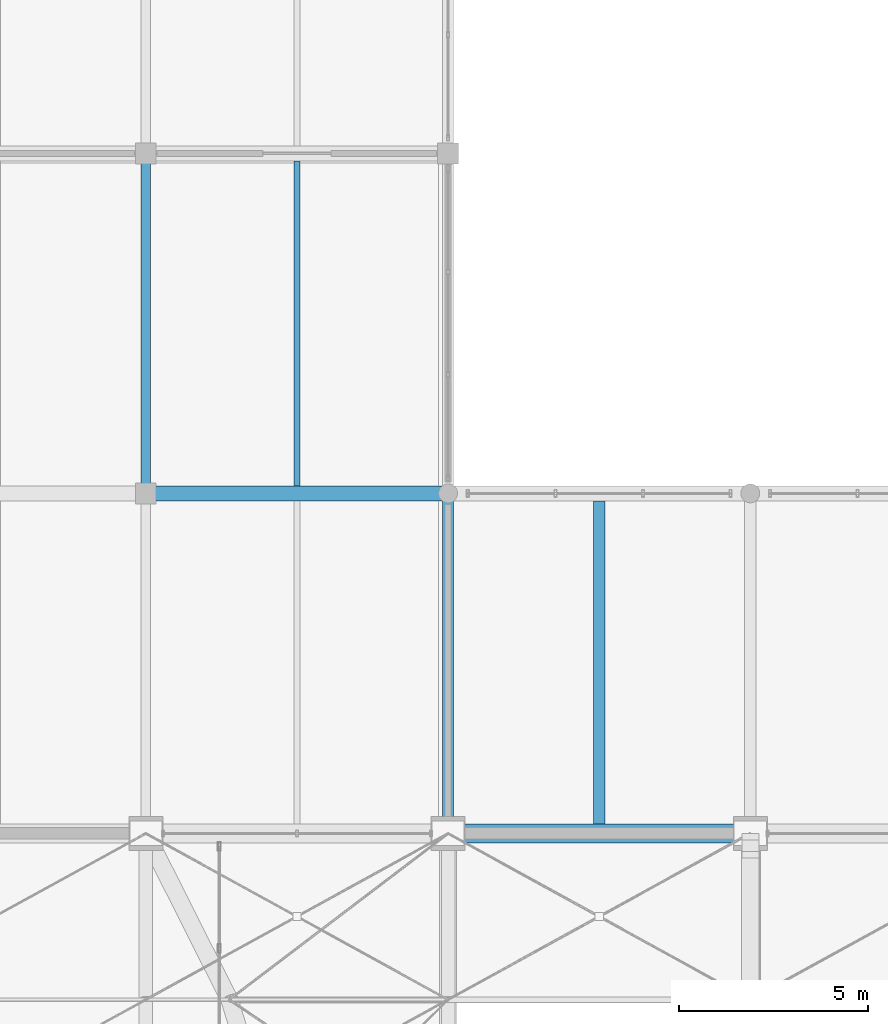
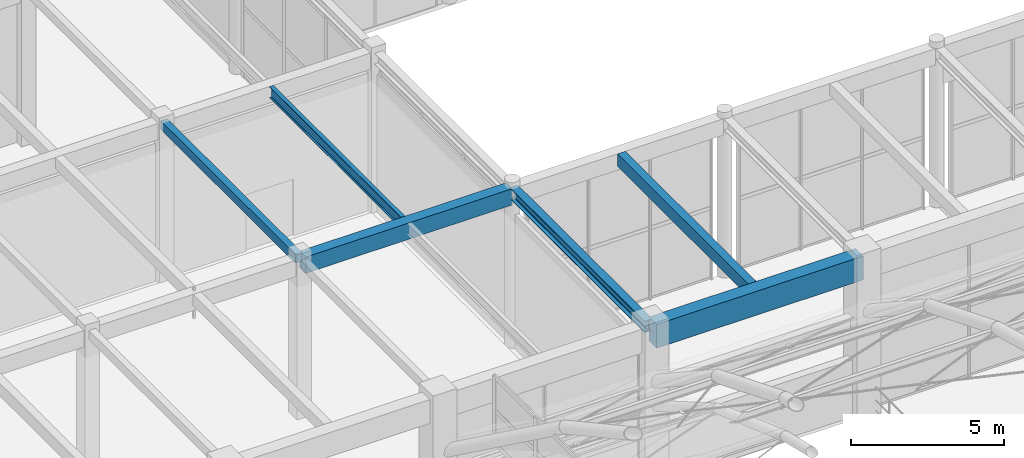
# One storey, part 63 of 163: 6 beams.
"""IFC4 building model written with IfcOpenShell, lengths in metres."""

from ifc_helpers import new_model, si_unit, direction, frame, origin, origin_2d, place, context, subcontext, project, spatial, rectangle, i_section, extrude, material, material_profile, profile_set, type_object, element, save


model = new_model("IFC4")

# Units and contexts
model_context = context("Model", 3, precision=1e-05, world=origin(), true_north=direction((0.0, 1.0)))
body_context = subcontext(model_context, "Body", "Model", "MODEL_VIEW")
ifc_project = project(units=[si_unit("LENGTHUNIT", "METRE"), si_unit("AREAUNIT", "SQUARE_METRE"), si_unit("VOLUMEUNIT", "CUBIC_METRE"), si_unit("PLANEANGLEUNIT", "RADIAN"), si_unit("MASSUNIT", "GRAM", prefix="KILO")], contexts=[model_context])

# Site, building, storey
site_placement = place(None, origin())
site = spatial("IfcSite", under=ifc_project, at=site_placement, CompositionType="ELEMENT")
building_placement = place(site_placement, origin())
building = spatial("IfcBuilding", under=site, at=building_placement, Name="Varnabhumi Central Station", CompositionType="ELEMENT")
storey_placement = place(building_placement, frame((0.0, 0.0, 9.60009765625)))
storey = spatial("IfcBuildingStorey", under=building, at=storey_placement, Name="L02", CompositionType="ELEMENT", Elevation=9.60009765625)

# Beams
ifc_material_1 = material(Name="Structural steel E350", Category="steel")
ifc_material_profile_1 = material_profile(ifc_material_1, i_section(OverallWidth=0.14990234375, OverallDepth=0.449951171875, WebThickness=0.009521484375, FlangeThickness=0.017333984375, FilletRadius=0.014892578125, at=origin_2d()), Name="Structural steel E350", Category="steel")
ifc_profile_set_1 = profile_set([ifc_material_profile_1], Name="Structural steel E350")
beam_type_1 = type_object("IfcBeamType", Name="BM-JST-ISMB450", PredefinedType="JOIST", material=ifc_profile_set_1)
beam_1_placement = place(storey_placement, frame((44.0, 89.199951171875, 6.125), z_axis=(0.0, 1.0, 0.0), x_axis=(-1.0, 0.0, 0.0)))
element("IfcBeam", 1, at=beam_1_placement, inside=storey, type_object=beam_type_1, Name="Secondary Joist L02-6/7:L-M", PredefinedType="JOIST", context=body_context, shape_type="SweptSolid", body=[
    extrude(i_section(OverallWidth=0.14990234375, OverallDepth=0.449951171875, WebThickness=0.009521484375, FlangeThickness=0.017333984375, FilletRadius=0.014892578125, at=origin_2d()), origin(), (0.0, 0.0, 1.0), 8.60009765625),
])
ifc_material_2 = material(Name="Concrete M35", Category="concrete")
ifc_material_profile_2 = material_profile(ifc_material_2, rectangle(XDim=0.25, YDim=0.35009765625, at=origin_2d()), Name="Concrete M35", Category="concrete")
ifc_profile_set_2 = profile_set([ifc_material_profile_2], Name="Concrete M35")
beam_type_2 = type_object("IfcBeamType", Name="BM-RC-250x350", PredefinedType="LINTEL", material=ifc_profile_set_2)
beam_2_placement = place(storey_placement, frame((40.0, 89.10009765625, 6.1748046875), z_axis=(0.0, 1.0, 0.0), x_axis=(-1.0, 0.0, 0.0)))
element("IfcBeam", 2, at=beam_2_placement, inside=storey, type_object=beam_type_2, Name="Beam L02-6:L-M", PredefinedType="LINTEL", context=body_context, shape_type="SweptSolid", body=[
    extrude(rectangle(XDim=0.25, YDim=0.35009765625, at=origin_2d()), origin(), (0.0, 0.0, 1.0), 8.7998046875),
])
ifc_material_3 = material(Name="Concrete M40", Category="concrete")
ifc_material_profile_3 = material_profile(ifc_material_3, rectangle(XDim=0.300048828125, YDim=0.5, at=origin_2d()), Name="Concrete M40", Category="concrete")
ifc_profile_set_3 = profile_set([ifc_material_profile_3], Name="Concrete M40")
beam_type_3 = type_object("IfcBeamType", Name="BM-RC-300x500", PredefinedType="JOIST", material=ifc_profile_set_3)
beam_3_placement = place(storey_placement, frame((52.0, 80.25, 6.099853515625), z_axis=(0.0, 1.0, 0.0), x_axis=(-1.0, 0.0, 0.0)))
element("IfcBeam", 3, at=beam_3_placement, inside=storey, type_object=beam_type_3, Name="Secondary Joist L02-7/8:K-L", PredefinedType="JOIST", context=body_context, shape_type="SweptSolid", body=[
    extrude(rectangle(XDim=0.300048828125, YDim=0.5, at=origin_2d()), origin(), (0.0, 0.0, 1.0), 8.550048828125),
])
ifc_material_profile_4 = material_profile(ifc_material_3, rectangle(XDim=0.39990234375, YDim=0.64990234375, at=origin_2d()), Name="Concrete M40", Category="concrete")
ifc_profile_set_4 = profile_set([ifc_material_profile_4], Name="Concrete M40")
beam_type_4 = type_object("IfcBeamType", Name="BM-RC-400x650", PredefinedType="BEAM", material=ifc_profile_set_4)
beam_4_placement = place(storey_placement, frame((40.10009765625, 89.0, 6.02490234375), z_axis=(1.0, 0.0, 0.0), x_axis=(0.0, 1.0, 0.0)))
element("IfcBeam", 4, at=beam_4_placement, inside=storey, type_object=beam_type_4, Name="Beam L02-L:6-7", PredefinedType="BEAM", context=body_context, shape_type="SweptSolid", body=[
    extrude(rectangle(XDim=0.39990234375, YDim=0.64990234375, at=origin_2d()), origin(), (0.0, 0.0, 1.0), 7.7998046875),
])
ifc_material_profile_5 = material_profile(ifc_material_3, rectangle(XDim=0.5, YDim=0.949951171875, at=origin_2d()), Name="Concrete M40", Category="concrete")
ifc_profile_set_5 = profile_set([ifc_material_profile_5], Name="Concrete M40")
beam_type_5 = type_object("IfcBeamType", Name="BM-RC-950x500", PredefinedType="BEAM", material=ifc_profile_set_5)
beam_5_placement = place(storey_placement, frame((48.10009765625, 80.0, 5.875), z_axis=(1.0, 0.0, 0.0), x_axis=(0.0, 1.0, 0.0)))
element("IfcBeam", 5, at=beam_5_placement, inside=storey, type_object=beam_type_5, Name="Beam L02-K:7-8", PredefinedType="BEAM", context=body_context, shape_type="SweptSolid", body=[
    extrude(rectangle(XDim=0.5, YDim=0.949951171875, at=origin_2d()), origin(), (0.0, 0.0, 1.0), 7.7998046875),
])
ifc_material_profile_6 = material_profile(ifc_material_1, i_section(OverallWidth=0.300048828125, OverallDepth=0.449951171875, WebThickness=0.013916015625, FlangeThickness=0.02587890625, FilletRadius=0.027099609375, at=origin_2d()), Name="Structural steel E350", Category="steel")
ifc_profile_set_6 = profile_set([ifc_material_profile_6], Name="Structural steel E350")
beam_type_6 = type_object("IfcBeamType", Name="BM-STL-WPB450", PredefinedType="BEAM", material=ifc_profile_set_6)
beam_6_placement = place(storey_placement, frame((48.0, 80.10009765625, 6.125), z_axis=(0.0, 1.0, 0.0), x_axis=(-1.0, 0.0, 0.0)))
element("IfcBeam", 6, at=beam_6_placement, inside=storey, type_object=beam_type_6, Name="Beam L02-7:K-L", PredefinedType="BEAM", context=body_context, shape_type="SweptSolid", body=[
    extrude(i_section(OverallWidth=0.300048828125, OverallDepth=0.449951171875, WebThickness=0.013916015625, FlangeThickness=0.02587890625, FilletRadius=0.027099609375, at=origin_2d()), origin(), (0.0, 0.0, 1.0), 8.7998046875),
])

save(model, "model.ifc")
